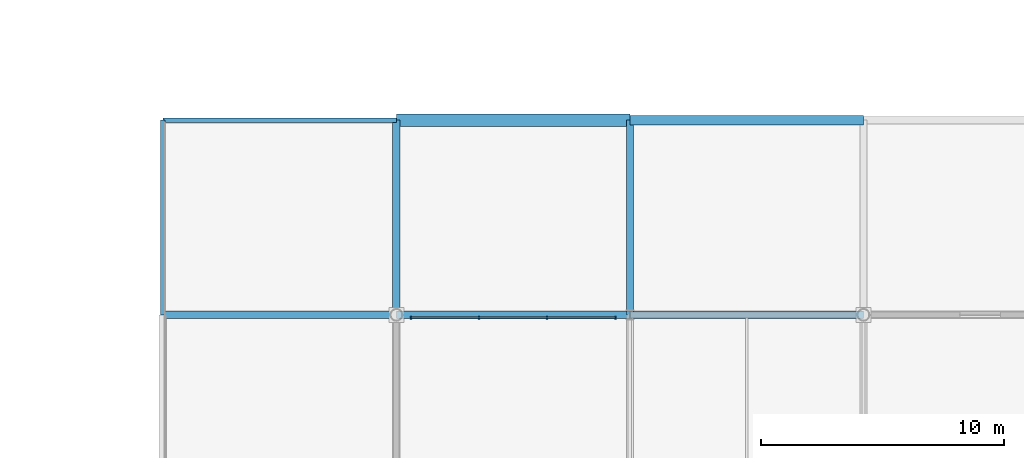
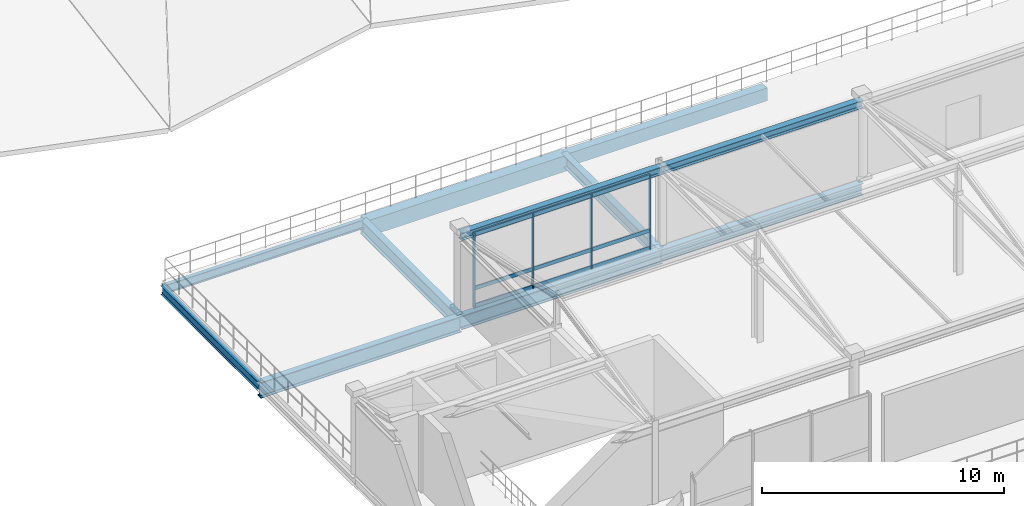
# One storey, part 6 of 26: 11 beams, 7 members, 1 element without a shape of its own.
"""IFC4 building model written with IfcOpenShell, lengths in metres."""

from ifc_helpers import new_model, si_unit, direction, frame, origin, origin_2d, place, context, subcontext, project, spatial, rectangle, i_section, extrude, material, material_profile, profile_set, type_object, element, aggregate, save


model = new_model("IFC4")

# Units and contexts
model_context = context("Model", 3, precision=1e-05, world=origin(), true_north=direction((0.0, 1.0)))
body_context = subcontext(model_context, "Body", "Model", "MODEL_VIEW")
ifc_project = project(units=[si_unit("LENGTHUNIT", "METRE"), si_unit("AREAUNIT", "SQUARE_METRE"), si_unit("VOLUMEUNIT", "CUBIC_METRE"), si_unit("PLANEANGLEUNIT", "RADIAN"), si_unit("MASSUNIT", "GRAM", prefix="KILO")], contexts=[model_context])

# Site, building, storey
site_placement = place(None, origin())
site = spatial("IfcSite", under=ifc_project, at=site_placement, CompositionType="ELEMENT")
building_placement = place(site_placement, origin())
building = spatial("IfcBuilding", under=site, at=building_placement, Name="Danafjord Basin Convention Centre", CompositionType="ELEMENT")
storey_placement = place(building_placement, frame((0.0, 0.0, 29.39990234375)))
storey = spatial("IfcBuildingStorey", under=building, at=storey_placement, Name="RF", CompositionType="ELEMENT", Elevation=29.39990234375)

# Beams
ifc_material_1 = material(Name="Steel S355", Category="steel")
ifc_material_profile_1 = material_profile(ifc_material_1, i_section(OverallWidth=0.300048828125, OverallDepth=0.389892578125, WebThickness=0.010986328125, FlangeThickness=0.01904296875, FilletRadius=0.027099609375, at=origin_2d()), Name="HEA 400")
ifc_profile_set_1 = profile_set([ifc_material_profile_1], Name="Steel S355")
beam_type_1 = type_object("IfcBeamType", Name="BEAM-BM-HEA400", PredefinedType="BEAM", material=ifc_profile_set_1)
beam_1_placement = place(storey_placement, frame((19.199951171875, 32.0, 3.760009765625), z_axis=(1.0, 0.0, 0.0), x_axis=(0.0, 1.0, 0.0)))
element("IfcBeam", 1, at=beam_1_placement, inside=storey, type_object=beam_type_1, Name="Observatory north eave girder", PredefinedType="BEAM", context=body_context, shape_type="SweptSolid", body=[
    extrude(i_section(OverallWidth=0.300048828125, OverallDepth=0.389892578125, WebThickness=0.010986328125, FlangeThickness=0.01904296875, FilletRadius=0.027099609375, at=origin_2d()), origin(), (0.0, 0.0, 1.0), 9.60009765625),
])
beam_2_placement = place(storey_placement, frame((28.800048828125, 32.0, 3.760009765625), z_axis=(1.0, 0.0, 0.0), x_axis=(0.0, 1.0, 0.0)))
element("IfcBeam", 2, at=beam_2_placement, inside=storey, type_object=beam_type_1, Name="Observatory north eave girder", PredefinedType="BEAM", context=body_context, shape_type="SweptSolid", body=[
    extrude(i_section(OverallWidth=0.300048828125, OverallDepth=0.389892578125, WebThickness=0.010986328125, FlangeThickness=0.01904296875, FilletRadius=0.027099609375, at=origin_2d()), origin(), (0.0, 0.0, 1.0), 9.599853515625),
])
ifc_material_profile_2 = material_profile(ifc_material_1, i_section(OverallWidth=0.300048828125, OverallDepth=0.60009765625, WebThickness=0.015380859375, FlangeThickness=0.030029296875, FilletRadius=0.027099609375, at=origin_2d()), Name="HEB 600")
ifc_profile_set_2 = profile_set([ifc_material_profile_2], Name="Steel S355")
beam_type_2 = type_object("IfcBeamType", Name="BEAM-BM-HEB600", PredefinedType="BEAM", material=ifc_profile_set_2)
beam_3_placement = place(storey_placement, frame((28.800048828125, 32.0, -0.539794921875), z_axis=(1.0, 0.0, 0.0), x_axis=(0.0, 1.0, 0.0)))
element("IfcBeam", 3, at=beam_3_placement, inside=storey, type_object=beam_type_2, Name="RF girder BM-HEB600", PredefinedType="BEAM", context=body_context, shape_type="SweptSolid", body=[
    extrude(i_section(OverallWidth=0.300048828125, OverallDepth=0.60009765625, WebThickness=0.015380859375, FlangeThickness=0.030029296875, FilletRadius=0.027099609375, at=origin_2d()), origin(), (0.0, 0.0, 1.0), 9.599853515625),
])
beam_4_placement = place(storey_placement, frame((28.800048828125, 32.0, -0.539794921875), z_axis=(0.0, 1.0, 0.0), x_axis=(-1.0, 0.0, 0.0)))
element("IfcBeam", 4, at=beam_4_placement, inside=storey, type_object=beam_type_2, Name="RF transverse girder BM-HEB600", PredefinedType="BEAM", context=body_context, shape_type="SweptSolid", body=[
    extrude(i_section(OverallWidth=0.300048828125, OverallDepth=0.60009765625, WebThickness=0.015380859375, FlangeThickness=0.030029296875, FilletRadius=0.027099609375, at=origin_2d()), origin(), (0.0, 0.0, 1.0), 8.0),
])
ifc_material_profile_3 = material_profile(ifc_material_1, i_section(OverallWidth=0.300048828125, OverallDepth=0.699951171875, WebThickness=0.01708984375, FlangeThickness=0.031982421875, FilletRadius=0.027099609375, at=origin_2d()), Name="HEB 700")
ifc_profile_set_3 = profile_set([ifc_material_profile_3], Name="Steel S355")
beam_type_3 = type_object("IfcBeamType", Name="BEAM-BM-HEB700", PredefinedType="BEAM", material=ifc_profile_set_3)
beam_5_placement = place(storey_placement, frame((19.199951171875, 32.0, -0.58984375), z_axis=(1.0, 0.0, 0.0), x_axis=(0.0, 1.0, 0.0)))
element("IfcBeam", 5, at=beam_5_placement, inside=storey, type_object=beam_type_3, Name="RF girder BM-HEB700", PredefinedType="BEAM", context=body_context, shape_type="SweptSolid", body=[
    extrude(i_section(OverallWidth=0.300048828125, OverallDepth=0.699951171875, WebThickness=0.01708984375, FlangeThickness=0.031982421875, FilletRadius=0.027099609375, at=origin_2d()), origin(), (0.0, 0.0, 1.0), 9.60009765625),
])
beam_6_placement = place(storey_placement, frame((19.199951171875, 32.0, -0.58984375), z_axis=(0.0, 1.0, 0.0), x_axis=(-1.0, 0.0, 0.0)))
element("IfcBeam", 6, at=beam_6_placement, inside=storey, type_object=beam_type_3, Name="RF transverse girder BM-HEB700", PredefinedType="BEAM", context=body_context, shape_type="SweptSolid", body=[
    extrude(i_section(OverallWidth=0.300048828125, OverallDepth=0.699951171875, WebThickness=0.01708984375, FlangeThickness=0.031982421875, FilletRadius=0.027099609375, at=origin_2d()), origin(), (0.0, 0.0, 1.0), 8.0),
])
ifc_material_profile_4 = material_profile(ifc_material_1, i_section(OverallWidth=0.300048828125, OverallDepth=0.800048828125, WebThickness=0.017578125, FlangeThickness=0.032958984375, FilletRadius=0.030029296875, at=origin_2d()), Name="HEB 800")
ifc_profile_set_4 = profile_set([ifc_material_profile_4], Name="Steel S355")
beam_type_4 = type_object("IfcBeamType", Name="BEAM-BM-HEB800", PredefinedType="BEAM", material=ifc_profile_set_4)
beam_7_placement = place(storey_placement, frame((9.60009765625, 32.0, -0.639892578125), z_axis=(1.0, 0.0, 0.0), x_axis=(0.0, 1.0, 0.0)))
element("IfcBeam", 7, at=beam_7_placement, inside=storey, type_object=beam_type_4, Name="RF girder BM-HEB800", PredefinedType="BEAM", context=body_context, shape_type="SweptSolid", body=[
    extrude(i_section(OverallWidth=0.300048828125, OverallDepth=0.800048828125, WebThickness=0.017578125, FlangeThickness=0.032958984375, FilletRadius=0.030029296875, at=origin_2d()), origin(), (0.0, 0.0, 1.0), 9.599853515625),
])
ifc_material_profile_5 = material_profile(ifc_material_1, i_section(OverallWidth=0.18994140625, OverallDepth=0.449951171875, WebThickness=0.009521484375, FlangeThickness=0.0146484375, FilletRadius=0.02099609375, at=origin_2d()), Name="IPE 450")
ifc_profile_set_5 = profile_set([ifc_material_profile_5], Name="Steel S355")
beam_type_5 = type_object("IfcBeamType", Name="BEAM-SP-IPE450", PredefinedType="SPANDREL", material=ifc_profile_set_5)
beam_8_placement = place(storey_placement, frame((9.60009765625, 40.0, -0.46484375), z_axis=(1.0, 0.0, 0.0), x_axis=(0.0, 1.0, 0.0)))
element("IfcBeam", 8, at=beam_8_placement, inside=storey, type_object=beam_type_5, Name="RF girder SP-IPE450", PredefinedType="SPANDREL", context=body_context, shape_type="SweptSolid", body=[
    extrude(i_section(OverallWidth=0.18994140625, OverallDepth=0.449951171875, WebThickness=0.009521484375, FlangeThickness=0.0146484375, FilletRadius=0.02099609375, at=origin_2d()), origin(), (0.0, 0.0, 1.0), 9.599853515625),
])
beam_9_placement = place(storey_placement, frame((9.60009765625, 32.0, -0.46484375), z_axis=(0.0, 1.0, 0.0), x_axis=(-1.0, 0.0, 0.0)))
element("IfcBeam", 9, at=beam_9_placement, inside=storey, type_object=beam_type_5, Name="RF transverse girder SP-IPE450", PredefinedType="SPANDREL", context=body_context, shape_type="SweptSolid", body=[
    extrude(i_section(OverallWidth=0.18994140625, OverallDepth=0.449951171875, WebThickness=0.009521484375, FlangeThickness=0.0146484375, FilletRadius=0.02099609375, at=origin_2d()), origin(), (0.0, 0.0, 1.0), 8.0),
])
ifc_material_2 = material(Name="Precast concrete C45/55", Category="concrete")
ifc_material_profile_6 = material_profile(ifc_material_2, rectangle(XDim=0.39990234375, YDim=0.64990234375, at=origin_2d()), Name="PCB 400x650")
ifc_profile_set_6 = profile_set([ifc_material_profile_6], Name="Precast concrete C45/55")
beam_type_6 = type_object("IfcBeamType", Name="BEAM-SP-PCB650", PredefinedType="SPANDREL", material=ifc_profile_set_6)
beam_10_placement = place(storey_placement, frame((28.800048828125, 40.0, -0.56494140625), z_axis=(1.0, 0.0, 0.0), x_axis=(0.0, 1.0, 0.0)))
element("IfcBeam", 10, at=beam_10_placement, inside=storey, type_object=beam_type_6, Name="RF girder SP-PCB650", PredefinedType="SPANDREL", context=body_context, shape_type="SweptSolid", body=[
    extrude(rectangle(XDim=0.39990234375, YDim=0.64990234375, at=origin_2d()), origin(), (0.0, 0.0, 1.0), 9.599853515625),
])
ifc_material_profile_7 = material_profile(ifc_material_2, rectangle(XDim=0.5, YDim=0.800048828125, at=origin_2d()), Name="PCB 500x800")
ifc_profile_set_7 = profile_set([ifc_material_profile_7], Name="Precast concrete C45/55")
beam_type_7 = type_object("IfcBeamType", Name="BEAM-SP-PCB800", PredefinedType="SPANDREL", material=ifc_profile_set_7)
beam_11_placement = place(storey_placement, frame((19.199951171875, 40.0, -0.639892578125), z_axis=(1.0, 0.0, 0.0), x_axis=(0.0, 1.0, 0.0)))
element("IfcBeam", 11, at=beam_11_placement, inside=storey, type_object=beam_type_7, Name="RF girder SP-PCB800", PredefinedType="SPANDREL", context=body_context, shape_type="SweptSolid", body=[
    extrude(rectangle(XDim=0.5, YDim=0.800048828125, at=origin_2d()), origin(), (0.0, 0.0, 1.0), 9.60009765625),
])

# Curtain wall, members
ifc_material_3 = material(Name="Anodised aluminium and triple glazing", Category="aluminium")
curtain_wall_type = type_object("IfcCurtainWallType", Name="CW-CW-TERR", PredefinedType="NOTDEFINED", material=ifc_material_3)
curtain_wall_placement = place(storey_placement, origin())
curtain_wall = element("IfcCurtainWall", 12, at=curtain_wall_placement, inside=storey, type_object=curtain_wall_type, Name="RF CW-TERR unitised curtain wall bay 110", PredefinedType="NOTDEFINED")
ifc_material_4 = material(Name="Anodised aluminium EN AW-6060", Category="aluminium")
ifc_material_profile_8 = material_profile(ifc_material_4, rectangle(XDim=0.06005859375, YDim=0.139892578125, at=origin_2d()), Name="MULL 60x140")
ifc_profile_set_8 = profile_set([ifc_material_profile_8], Name="Anodised aluminium EN AW-6060")
member_type_1 = type_object("IfcMemberType", Name="MEM-ML-140", PredefinedType="MULLION", material=ifc_profile_set_8)
member_1_placement = place(storey_placement, frame((28.199951171875, 31.8798828125, -0.02490234375), z_axis=(0.0, 0.0, 1.0), x_axis=(-1.0, 0.0, 0.0)))
member_1 = element("IfcMember", 13, at=member_1_placement, type_object=member_type_1, Name="CW-RF-110 mullion 1", PredefinedType="MULLION", context=body_context, shape_type="SweptSolid", body=[
    extrude(rectangle(XDim=0.06005859375, YDim=0.139892578125, at=origin_2d()), origin(), (0.0, 0.0, 1.0), 3.784912109375),
])
member_2_placement = place(storey_placement, frame((25.39990234375, 31.8798828125, -0.02490234375), z_axis=(0.0, 0.0, 1.0), x_axis=(-1.0, 0.0, 0.0)))
member_2 = element("IfcMember", 14, at=member_2_placement, type_object=member_type_1, Name="CW-RF-110 mullion 2", PredefinedType="MULLION", context=body_context, shape_type="SweptSolid", body=[
    extrude(rectangle(XDim=0.06005859375, YDim=0.139892578125, at=origin_2d()), origin(), (0.0, 0.0, 1.0), 3.784912109375),
])
member_3_placement = place(storey_placement, frame((22.60009765625, 31.8798828125, -0.02490234375), z_axis=(0.0, 0.0, 1.0), x_axis=(-1.0, 0.0, 0.0)))
member_3 = element("IfcMember", 15, at=member_3_placement, type_object=member_type_1, Name="CW-RF-110 mullion 3", PredefinedType="MULLION", context=body_context, shape_type="SweptSolid", body=[
    extrude(rectangle(XDim=0.06005859375, YDim=0.139892578125, at=origin_2d()), origin(), (0.0, 0.0, 1.0), 3.784912109375),
])
member_4_placement = place(storey_placement, frame((19.800048828125, 31.8798828125, -0.02490234375), z_axis=(0.0, 0.0, 1.0), x_axis=(-1.0, 0.0, 0.0)))
member_4 = element("IfcMember", 16, at=member_4_placement, type_object=member_type_1, Name="CW-RF-110 mullion 4", PredefinedType="MULLION", context=body_context, shape_type="SweptSolid", body=[
    extrude(rectangle(XDim=0.06005859375, YDim=0.139892578125, at=origin_2d()), origin(), (0.0, 0.0, 1.0), 3.784912109375),
])
ifc_material_profile_9 = material_profile(ifc_material_4, rectangle(XDim=0.06494140625, YDim=0.18994140625, at=origin_2d()), Name="TRAN 65x190")
ifc_profile_set_9 = profile_set([ifc_material_profile_9], Name="Anodised aluminium EN AW-6060")
member_type_2 = type_object("IfcMemberType", Name="MEM-TR-190", PredefinedType="USERDEFINED", material=ifc_profile_set_9)
member_5_placement = place(storey_placement, frame((28.199951171875, 31.8798828125, 0.06005859375), z_axis=(-1.0, 0.0, 0.0), x_axis=(0.0, -1.0, 0.0)))
member_5 = element("IfcMember", 17, at=member_5_placement, type_object=member_type_2, Name="CW-RF-110 transom 1", ObjectType="TRANSOM", PredefinedType="USERDEFINED", context=body_context, shape_type="SweptSolid", body=[
    extrude(rectangle(XDim=0.06494140625, YDim=0.18994140625, at=origin_2d()), origin(), (0.0, 0.0, 1.0), 8.39990234375),
])
member_6_placement = place(storey_placement, frame((28.199951171875, 31.8798828125, 0.9501953125), z_axis=(-1.0, 0.0, 0.0), x_axis=(0.0, -1.0, 0.0)))
member_6 = element("IfcMember", 18, at=member_6_placement, type_object=member_type_2, Name="CW-RF-110 transom 2", ObjectType="TRANSOM", PredefinedType="USERDEFINED", context=body_context, shape_type="SweptSolid", body=[
    extrude(rectangle(XDim=0.06494140625, YDim=0.18994140625, at=origin_2d()), origin(), (0.0, 0.0, 1.0), 8.39990234375),
])
member_7_placement = place(storey_placement, frame((28.199951171875, 31.8798828125, 3.690185546875), z_axis=(-1.0, 0.0, 0.0), x_axis=(0.0, -1.0, 0.0)))
member_7 = element("IfcMember", 19, at=member_7_placement, type_object=member_type_2, Name="CW-RF-110 transom 3", ObjectType="TRANSOM", PredefinedType="USERDEFINED", context=body_context, shape_type="SweptSolid", body=[
    extrude(rectangle(XDim=0.06494140625, YDim=0.18994140625, at=origin_2d()), origin(), (0.0, 0.0, 1.0), 8.39990234375),
])
aggregate(curtain_wall, [member_1, member_2, member_3, member_4, member_5, member_6, member_7])

save(model, "model.ifc")
